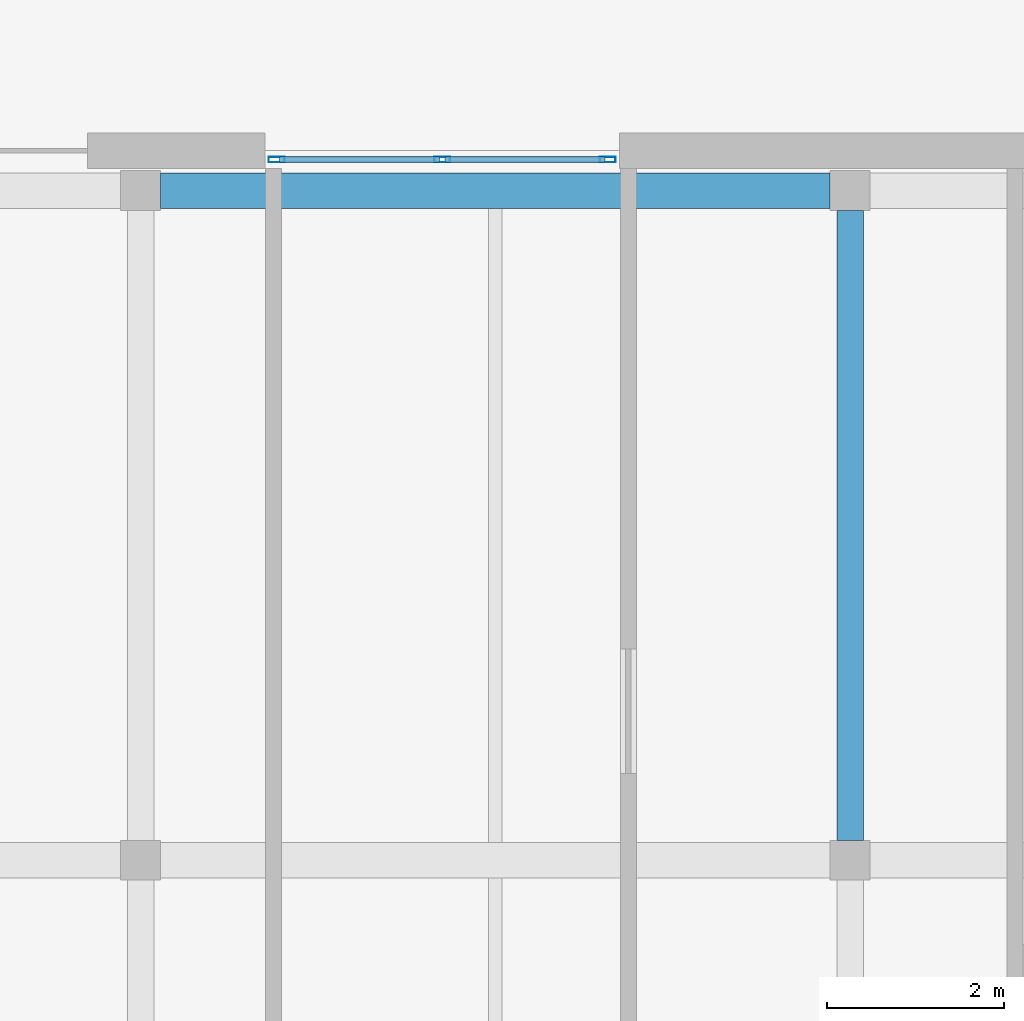
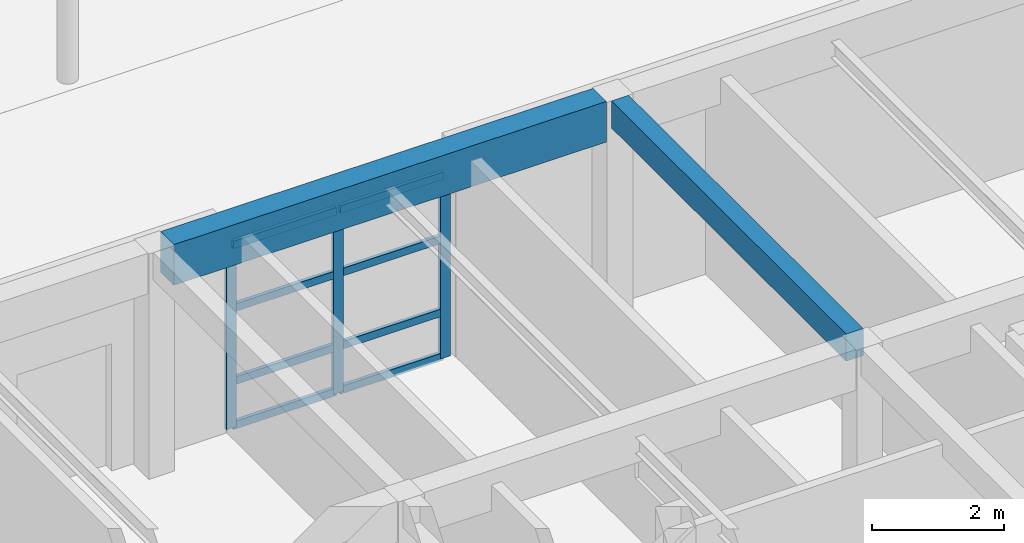
# One storey, part 17 of 114: 11 members, 2 beams, 1 element without a shape of its own.
"""IFC4 building model written with IfcOpenShell, lengths in metres."""

import ifcopenshell
import ifcopenshell.guid

model = None  # the IFC model being written
_history = None  # IfcOwnerHistory: only IFC2X3 demands one
_inside = {}  # id of a spatial element -> (the spatial element, [elements in it])
_under = {}  # id of a project, library or spatial element -> (it, [spatial elements below it])
_declared = {}  # id of a project -> (the project, [libraries it declares])
_typed = {}  # id of a type object -> (the type object, [elements of that type])
_made_of = {}  # id of a material, layer set ... -> (it, [elements and type objects made of it])


def new_model(schema):
    """Start an empty IFC model of exactly this schema.

    Asked for "IFC4X3", IfcOpenShell would pick the latest addendum, in which some entities
    have other attributes; the version numbers below select the first issue.
    IFC2X3 requires an IfcOwnerHistory on every rooted entity: one is made here for all.
    """
    global model, _history
    if schema == "IFC4X3":
        model = ifcopenshell.file(schema_version=(4, 3, 0, 0))
    else:
        model = ifcopenshell.file(schema=schema)
    _inside.clear()
    _under.clear()
    _declared.clear()
    _typed.clear()
    _made_of.clear()
    _history = None
    if model.schema == "IFC2X3":
        org = make("IfcOrganization", Name="unknown")
        user = make(
            "IfcPersonAndOrganization",
            ThePerson=make("IfcPerson", FamilyName="unknown"),
            TheOrganization=org,
        )
        app = make(
            "IfcApplication",
            ApplicationDeveloper=org,
            Version="unknown",
            ApplicationFullName="unknown",
            ApplicationIdentifier="unknown",
        )
        _history = make(
            "IfcOwnerHistory",
            OwningUser=user,
            OwningApplication=app,
            ChangeAction="ADDED",
            CreationDate=0,
        )
    return model


def make(cls, **values):
    """One entity of the class cls with the attributes given. An attribute that is None is left unset."""
    return model.create_entity(
        cls, **{name: value for name, value in values.items() if value is not None}
    )


def rooted(cls, **values):
    """An entity with a GlobalId (a new one), such as an element, a storey or a relation."""
    return make(cls, GlobalId=ifcopenshell.guid.new(), OwnerHistory=_history, **values)


def si_unit(unit_type, name, prefix=None):
    """IfcSIUnit, for example si_unit("LENGTHUNIT", "METRE", prefix="MILLI")."""
    return make("IfcSIUnit", UnitType=unit_type, Prefix=prefix, Name=name)


def assignment(units):
    """IfcUnitAssignment: the units of a project."""
    return None if units is None else make("IfcUnitAssignment", Units=units)


def point(xyz):
    """IfcCartesianPoint."""
    return None if xyz is None else make("IfcCartesianPoint", Coordinates=xyz)


def direction(xyz):
    """IfcDirection."""
    return None if xyz is None else make("IfcDirection", DirectionRatios=xyz)


def frame(location, z_axis=None, x_axis=None):
    """IfcAxis2Placement3D, a coordinate frame: its origin and axes. An axis left out is left unset."""
    return make(
        "IfcAxis2Placement3D",
        Location=point(location),
        Axis=direction(z_axis),
        RefDirection=direction(x_axis),
    )


def frame_2d(location, x_axis=None):
    """IfcAxis2Placement2D, a coordinate frame in the plane: its origin and x axis."""
    return make(
        "IfcAxis2Placement2D", Location=point(location), RefDirection=direction(x_axis)
    )


def origin():
    """The frame at (0, 0, 0) with its axes left unset."""
    return frame((0.0, 0.0, 0.0))


def origin_2d():
    """The frame at (0, 0) in the plane with its x axis left unset."""
    return frame_2d((0.0, 0.0))


def place(relative_to, where):
    """IfcLocalPlacement: puts the frame where relative to a parent placement (None: the world)."""
    return make(
        "IfcLocalPlacement", PlacementRelTo=relative_to, RelativePlacement=where
    )


def context(
    kind, dimensions, precision=None, world=None, true_north=None, identifier=None
):
    """IfcGeometricRepresentationContext, for example the 3D "Model" context."""
    return make(
        "IfcGeometricRepresentationContext",
        ContextIdentifier=identifier,
        ContextType=kind,
        CoordinateSpaceDimension=dimensions,
        Precision=precision,
        WorldCoordinateSystem=world,
        TrueNorth=true_north,
    )


def subcontext(parent, identifier, kind, view, scale=None):
    """IfcGeometricRepresentationSubContext, for example "Body" below "Model"."""
    return make(
        "IfcGeometricRepresentationSubContext",
        ContextIdentifier=identifier,
        ContextType=kind,
        ParentContext=parent,
        TargetScale=scale,
        TargetView=view,
    )


def project(units=None, contexts=None):
    """IfcProject with its units and contexts."""
    return rooted(
        "IfcProject",
        Name="project",
        RepresentationContexts=contexts,
        UnitsInContext=assignment(units),
    )


def spatial(cls, under=None, at=None, **own):
    """A site, building, storey or space (cls), placed at a placement, below another one or the project."""
    s = rooted(cls, ObjectPlacement=at, **own)
    if under is not None:
        _under.setdefault(under.id(), (under, []))[1].append(s)
    return s


def profile(cls, at=None, kind="AREA", **sizes):
    """A parametric profile (cls). Its sizes go by their IFC names, for example OverallWidth=200.0."""
    return make(cls, ProfileType=kind, Position=at, **sizes)


def rectangle(**sizes):
    """IfcRectangleProfileDef."""
    return profile("IfcRectangleProfileDef", **sizes)


def hollow_rectangle(**sizes):
    """IfcRectangleHollowProfileDef."""
    return profile("IfcRectangleHollowProfileDef", **sizes)


def extrude(swept, where, along, depth):
    """IfcExtrudedAreaSolid: the profile swept, set in the frame where, extruded along a direction by depth."""
    return make(
        "IfcExtrudedAreaSolid",
        SweptArea=swept,
        Position=where,
        ExtrudedDirection=direction(along),
        Depth=depth,
    )


def shape(context_of_items, identifier, shape_type, items):
    """IfcShapeRepresentation: the items that make up one representation, for example the "Body"."""
    return make(
        "IfcShapeRepresentation",
        ContextOfItems=context_of_items,
        RepresentationIdentifier=identifier,
        RepresentationType=shape_type,
        Items=items,
    )


def material(Name=None, Category=None):
    """IfcMaterial."""
    return make("IfcMaterial", Name=Name, Category=Category)


def layer(
    of_material, thickness, ventilated=None, Name=None, Category=None, Priority=None
):
    """IfcMaterialLayer: one layer of a wall or slab, of a material (None: an air gap)."""
    return make(
        "IfcMaterialLayer",
        Material=of_material,
        LayerThickness=thickness,
        IsVentilated=ventilated,
        Name=Name,
        Category=Category,
        Priority=Priority,
    )


def layer_set(layers, Name=None):
    """IfcMaterialLayerSet."""
    return make("IfcMaterialLayerSet", MaterialLayers=layers, LayerSetName=Name)


def material_profile(
    of_material, cross_section, Name=None, Category=None, Priority=None
):
    """IfcMaterialProfile: a cross section and its material."""
    return make(
        "IfcMaterialProfile",
        Name=Name,
        Material=of_material,
        Profile=cross_section,
        Priority=Priority,
        Category=Category,
    )


def profile_set(profiles, Name=None, composite=None):
    """IfcMaterialProfileSet."""
    return make(
        "IfcMaterialProfileSet",
        Name=Name,
        MaterialProfiles=profiles,
        CompositeProfile=composite,
    )


def made_of(thing, what):
    """Note that an element or type object is made of a material, layer set ...; save() writes the relation."""
    if what is not None:
        _made_of.setdefault(what.id(), (what, []))[1].append(thing)
    return thing


def type_object(cls, material=None, **own):
    """A type object (cls), such as IfcWallType, which elements share."""
    return made_of(rooted(cls, **own), material)


def element(
    cls,
    number,
    at=None,
    inside=None,
    cuts=None,
    type_object=None,
    material=None,
    context=None,
    identifier="Body",
    shape_type=None,
    held_by="IfcProductDefinitionShape",
    body=None,
    shapes=None,
    **own,
):
    """One element of the class cls, such as IfcWall. Its Tag is "e" and its number.

    at: its placement. inside: the storey or other place that contains it. cuts: it is an
    opening in that element (IfcRelVoidsElement). A single representation is given by context,
    identifier, shape_type and body (its items); several are given by shapes. held_by: the class
    of the entity that holds the representations. save() writes the other relations.
    """
    e = rooted(cls, Tag="e%d" % number, ObjectPlacement=at, **own)
    if body is not None:
        shapes = [shape(context, identifier, shape_type, body)]
    if shapes is not None:
        e.Representation = make(held_by, Representations=shapes)
    if inside is not None:
        _inside.setdefault(inside.id(), (inside, []))[1].append(e)
    if cuts is not None:
        rooted(
            "IfcRelVoidsElement", RelatingBuildingElement=cuts, RelatedOpeningElement=e
        )
    if type_object is not None:
        _typed.setdefault(type_object.id(), (type_object, []))[1].append(e)
    return made_of(e, material)


def aggregate(whole, parts):
    """IfcRelAggregates: a whole, such as a stair, and the parts it consists of."""
    return rooted("IfcRelAggregates", RelatingObject=whole, RelatedObjects=parts)


def save(model, path):
    """Write the relations noted so far, then the file.

    IfcRelAggregates (storeys below a building ...), IfcRelContainedInSpatialStructure (elements
    in a storey), IfcRelDefinesByType, IfcRelAssociatesMaterial and IfcRelDeclares: one each for
    every whole, place, type object, material and project.
    """
    for whole, parts in _under.values():
        aggregate(whole, parts)
    for where, things in _inside.values():
        rooted(
            "IfcRelContainedInSpatialStructure",
            RelatedElements=things,
            RelatingStructure=where,
        )
    for kind, things in _typed.values():
        rooted("IfcRelDefinesByType", RelatedObjects=things, RelatingType=kind)
    for what, things in _made_of.values():
        rooted("IfcRelAssociatesMaterial", RelatedObjects=things, RelatingMaterial=what)
    for by, libraries in _declared.values():
        rooted("IfcRelDeclares", RelatingContext=by, RelatedDefinitions=libraries)
    model.write(path)


model = new_model("IFC4")

# Units and contexts
model_context = context("Model", 3, precision=1e-05, world=origin(), true_north=direction((0.0, 1.0)))
body_context = subcontext(model_context, "Body", "Model", "MODEL_VIEW")
ifc_project = project(units=[si_unit("LENGTHUNIT", "METRE"), si_unit("AREAUNIT", "SQUARE_METRE"), si_unit("VOLUMEUNIT", "CUBIC_METRE"), si_unit("PLANEANGLEUNIT", "RADIAN"), si_unit("MASSUNIT", "GRAM", prefix="KILO")], contexts=[model_context])

# Site, building, storey
site_placement = place(None, origin())
site = spatial("IfcSite", under=ifc_project, at=site_placement, CompositionType="ELEMENT")
building_placement = place(site_placement, origin())
building = spatial("IfcBuilding", under=site, at=building_placement, Name="Keldmere Railside Commons", CompositionType="ELEMENT")
storey_placement = place(building_placement, origin())
storey = spatial("IfcBuildingStorey", under=building, at=storey_placement, Name="L00", CompositionType="ELEMENT", Elevation=0.0)

# Beam
ifc_material_1 = material(Name="Concrete H-35 (C35/45)", Category="concrete")
ifc_material_profile_1 = material_profile(ifc_material_1, rectangle(XDim=0.39990234375, YDim=0.75, at=origin_2d()), Name="RC-400x750")
ifc_profile_set_1 = profile_set([ifc_material_profile_1], Name="Concrete H-35 (C35/45)")
beam_type_1 = type_object("IfcBeamType", Name="Civic Frame RC Girder 400x750", PredefinedType="BEAM", material=ifc_profile_set_1)
beam_1_placement = place(storey_placement, frame((24.22509765625, 39.550048828125, 3.784912109375), z_axis=(1.0, 0.0, 0.0), x_axis=(0.0, 1.0, 0.0)))
element("IfcBeam", 1, at=beam_1_placement, inside=storey, type_object=beam_type_1, Name="BG-2 BM-L00-0451", PredefinedType="BEAM", context=body_context, shape_type="SweptSolid", body=[
    extrude(rectangle(XDim=0.39990234375, YDim=0.75, at=origin_2d()), origin(), (0.0, 0.0, 1.0), 7.5498046875),
])

# Curtain wall, members
ifc_material_2 = material(Name="Thermally Broken Aluminium", Category="aluminium")
ifc_layer = layer(ifc_material_2, 0.159912109375, Name="Nursery Courtyard Playroom CW 3800x3400")
ifc_layer_set = layer_set([ifc_layer], Name="Thermally Broken Aluminium")
curtain_wall_type = type_object("IfcCurtainWallType", Name="Nursery Courtyard Playroom CW 3800x3400", PredefinedType="NOTDEFINED", material=ifc_layer_set)
curtain_wall_placement = place(storey_placement, origin())
curtain_wall = element("IfcCurtainWall", 2, at=curtain_wall_placement, inside=storey, type_object=curtain_wall_type, Name="CW-08 CW-L00-200", PredefinedType="NOTDEFINED")
ifc_material_profile_2 = material_profile(ifc_material_2, hollow_rectangle(XDim=0.06494140625, YDim=0.179931640625, WallThickness=0.00390625, at=origin_2d()), Name="ALU-MULL-65x180")
ifc_profile_set_2 = profile_set([ifc_material_profile_2], Name="Thermally Broken Aluminium")
member_type_1 = type_object("IfcMemberType", Name="Civic Tall Curtain Wall Mullion 65x180", PredefinedType="MULLION", material=ifc_profile_set_2)
member_1_placement = place(storey_placement, frame((25.532470703125, 39.89990234375, 0.0), z_axis=(0.0, 0.0, 1.0), x_axis=(0.0, 1.0, 0.0)))
member_1 = element("IfcMember", 3, at=member_1_placement, type_object=member_type_1, Name="CW-08 mullion 1", PredefinedType="MULLION", context=body_context, shape_type="SweptSolid", body=[
    extrude(hollow_rectangle(XDim=0.06494140625, YDim=0.179931640625, WallThickness=0.00390625, at=origin_2d()), origin(), (0.0, 0.0, 1.0), 3.39990234375),
])
member_2_placement = place(storey_placement, frame((27.39990234375, 39.89990234375, 0.0), z_axis=(0.0, 0.0, 1.0), x_axis=(0.0, 1.0, 0.0)))
member_2 = element("IfcMember", 4, at=member_2_placement, type_object=member_type_1, Name="CW-08 mullion 2", PredefinedType="MULLION", context=body_context, shape_type="SweptSolid", body=[
    extrude(hollow_rectangle(XDim=0.06494140625, YDim=0.179931640625, WallThickness=0.00390625, at=origin_2d()), origin(), (0.0, 0.0, 1.0), 3.39990234375),
])
member_3_placement = place(storey_placement, frame((29.267578125, 39.89990234375, 0.0), z_axis=(0.0, 0.0, 1.0), x_axis=(0.0, 1.0, 0.0)))
member_3 = element("IfcMember", 5, at=member_3_placement, type_object=member_type_1, Name="CW-08 mullion 3", PredefinedType="MULLION", context=body_context, shape_type="SweptSolid", body=[
    extrude(hollow_rectangle(XDim=0.06494140625, YDim=0.179931640625, WallThickness=0.00390625, at=origin_2d()), origin(), (0.0, 0.0, 1.0), 3.39990234375),
])
ifc_material_profile_3 = material_profile(ifc_material_2, hollow_rectangle(XDim=0.06494140625, YDim=0.139892578125, WallThickness=0.00390625, at=origin_2d()), Name="ALU-TRAN-65x140")
ifc_profile_set_3 = profile_set([ifc_material_profile_3], Name="Thermally Broken Aluminium")
member_type_2 = type_object("IfcMemberType", Name="Civic Tall Curtain Wall Transom 65x140", PredefinedType="USERDEFINED", material=ifc_profile_set_3)
member_4_placement = place(storey_placement, frame((25.56494140625, 39.89990234375, 0.032470703125), z_axis=(1.0, 0.0, 0.0), x_axis=(0.0, 1.0, 0.0)))
member_4 = element("IfcMember", 6, at=member_4_placement, type_object=member_type_2, Name="CW-08 transom 1.1", ObjectType="TRANSOM", PredefinedType="USERDEFINED", context=body_context, shape_type="SweptSolid", body=[
    extrude(hollow_rectangle(XDim=0.06494140625, YDim=0.139892578125, WallThickness=0.00390625, at=origin_2d()), origin(), (0.0, 0.0, 1.0), 1.802490234375),
])
member_5_placement = place(storey_placement, frame((25.56494140625, 39.89990234375, 0.85009765625), z_axis=(1.0, 0.0, 0.0), x_axis=(0.0, 1.0, 0.0)))
member_5 = element("IfcMember", 7, at=member_5_placement, type_object=member_type_2, Name="CW-08 transom 1.2", ObjectType="TRANSOM", PredefinedType="USERDEFINED", context=body_context, shape_type="SweptSolid", body=[
    extrude(hollow_rectangle(XDim=0.06494140625, YDim=0.139892578125, WallThickness=0.00390625, at=origin_2d()), origin(), (0.0, 0.0, 1.0), 1.802490234375),
])
member_6_placement = place(storey_placement, frame((25.56494140625, 39.89990234375, 2.199951171875), z_axis=(1.0, 0.0, 0.0), x_axis=(0.0, 1.0, 0.0)))
member_6 = element("IfcMember", 8, at=member_6_placement, type_object=member_type_2, Name="CW-08 transom 1.3", ObjectType="TRANSOM", PredefinedType="USERDEFINED", context=body_context, shape_type="SweptSolid", body=[
    extrude(hollow_rectangle(XDim=0.06494140625, YDim=0.139892578125, WallThickness=0.00390625, at=origin_2d()), origin(), (0.0, 0.0, 1.0), 1.802490234375),
])
member_7_placement = place(storey_placement, frame((25.56494140625, 39.89990234375, 3.367431640625), z_axis=(1.0, 0.0, 0.0), x_axis=(0.0, 1.0, 0.0)))
member_7 = element("IfcMember", 9, at=member_7_placement, type_object=member_type_2, Name="CW-08 transom 1.4", ObjectType="TRANSOM", PredefinedType="USERDEFINED", context=body_context, shape_type="SweptSolid", body=[
    extrude(hollow_rectangle(XDim=0.06494140625, YDim=0.139892578125, WallThickness=0.00390625, at=origin_2d()), origin(), (0.0, 0.0, 1.0), 1.802490234375),
])
member_8_placement = place(storey_placement, frame((27.4326171875, 39.89990234375, 0.032470703125), z_axis=(1.0, 0.0, 0.0), x_axis=(0.0, 1.0, 0.0)))
member_8 = element("IfcMember", 10, at=member_8_placement, type_object=member_type_2, Name="CW-08 transom 2.1", ObjectType="TRANSOM", PredefinedType="USERDEFINED", context=body_context, shape_type="SweptSolid", body=[
    extrude(hollow_rectangle(XDim=0.06494140625, YDim=0.139892578125, WallThickness=0.00390625, at=origin_2d()), origin(), (0.0, 0.0, 1.0), 1.802490234375),
])
member_9_placement = place(storey_placement, frame((27.4326171875, 39.89990234375, 0.85009765625), z_axis=(1.0, 0.0, 0.0), x_axis=(0.0, 1.0, 0.0)))
member_9 = element("IfcMember", 11, at=member_9_placement, type_object=member_type_2, Name="CW-08 transom 2.2", ObjectType="TRANSOM", PredefinedType="USERDEFINED", context=body_context, shape_type="SweptSolid", body=[
    extrude(hollow_rectangle(XDim=0.06494140625, YDim=0.139892578125, WallThickness=0.00390625, at=origin_2d()), origin(), (0.0, 0.0, 1.0), 1.802490234375),
])
member_10_placement = place(storey_placement, frame((27.4326171875, 39.89990234375, 2.199951171875), z_axis=(1.0, 0.0, 0.0), x_axis=(0.0, 1.0, 0.0)))
member_10 = element("IfcMember", 12, at=member_10_placement, type_object=member_type_2, Name="CW-08 transom 2.3", ObjectType="TRANSOM", PredefinedType="USERDEFINED", context=body_context, shape_type="SweptSolid", body=[
    extrude(hollow_rectangle(XDim=0.06494140625, YDim=0.139892578125, WallThickness=0.00390625, at=origin_2d()), origin(), (0.0, 0.0, 1.0), 1.802490234375),
])
member_11_placement = place(storey_placement, frame((27.4326171875, 39.89990234375, 3.367431640625), z_axis=(1.0, 0.0, 0.0), x_axis=(0.0, 1.0, 0.0)))
member_11 = element("IfcMember", 13, at=member_11_placement, type_object=member_type_2, Name="CW-08 transom 2.4", ObjectType="TRANSOM", PredefinedType="USERDEFINED", context=body_context, shape_type="SweptSolid", body=[
    extrude(hollow_rectangle(XDim=0.06494140625, YDim=0.139892578125, WallThickness=0.00390625, at=origin_2d()), origin(), (0.0, 0.0, 1.0), 1.802490234375),
])
aggregate(curtain_wall, [member_1, member_2, member_3, member_4, member_5, member_6, member_7, member_8, member_9, member_10, member_11])

# Beam
ifc_material_3 = material(Name="Concrete H-30 (C30/37)", Category="concrete")
ifc_material_profile_4 = material_profile(ifc_material_3, rectangle(XDim=0.300048828125, YDim=0.5, at=origin_2d()), Name="RC-300x500")
ifc_profile_set_4 = profile_set([ifc_material_profile_4], Name="Concrete H-30 (C30/37)")
beam_type_2 = type_object("IfcBeamType", Name="Secondary Frame RC Beam 300x500", PredefinedType="BEAM", material=ifc_profile_set_4)
beam_2_placement = place(storey_placement, frame((32.0, 32.22509765625, 3.909912109375), z_axis=(0.0, 1.0, 0.0), x_axis=(-1.0, 0.0, 0.0)))
element("IfcBeam", 14, at=beam_2_placement, inside=storey, type_object=beam_type_2, Name="BG-5 BM-L00-0577", PredefinedType="BEAM", context=body_context, shape_type="SweptSolid", body=[
    extrude(rectangle(XDim=0.300048828125, YDim=0.5, at=origin_2d()), origin(), (0.0, 0.0, 1.0), 7.099853515625),
])

save(model, "model.ifc")
